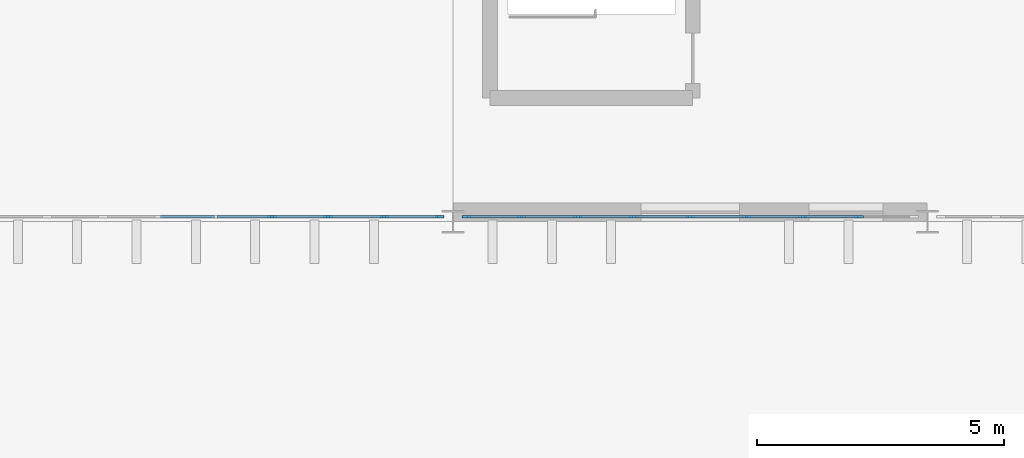
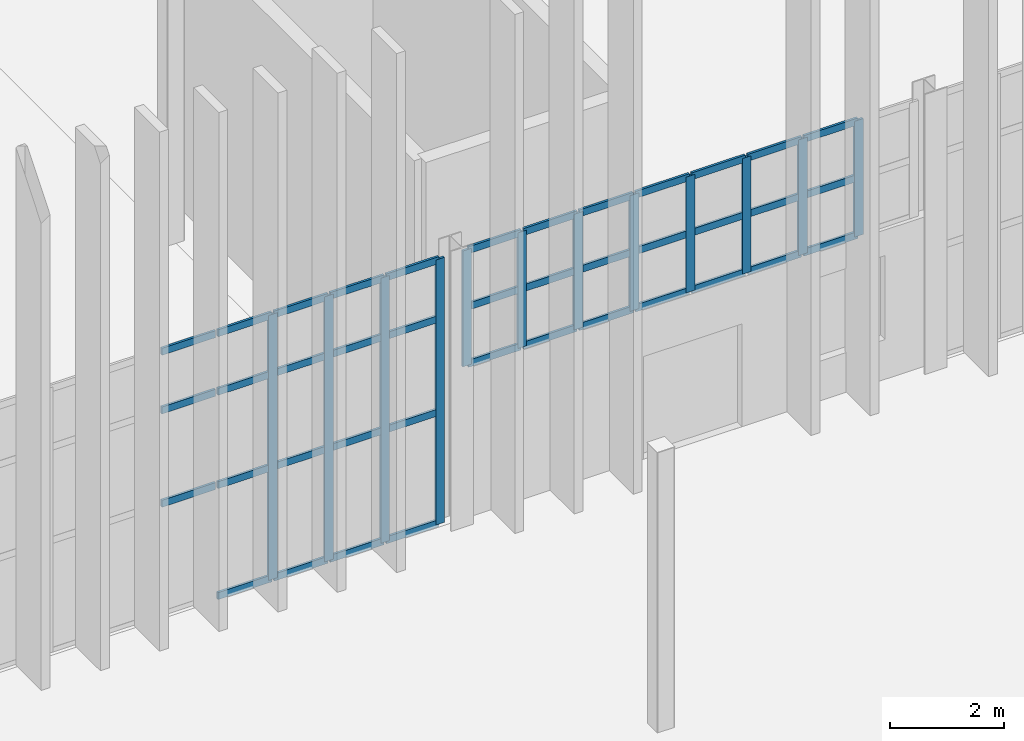
# One storey, part 36 of 139: 52 members, 2 elements without a shape of their own.
"""IFC4 building model written with IfcOpenShell, lengths in metres."""

from ifc_helpers import new_model, si_unit, direction, frame, origin, origin_2d, place, context, subcontext, project, spatial, rectangle, extrude, material, layer, layer_set, material_profile, profile_set, type_object, element, aggregate, save


model = new_model("IFC4")

# Units and contexts
model_context = context("Model", 3, precision=1e-05, world=origin(), true_north=direction((0.0, 1.0)))
body_context = subcontext(model_context, "Body", "Model", "MODEL_VIEW")
ifc_project = project(units=[si_unit("LENGTHUNIT", "METRE"), si_unit("AREAUNIT", "SQUARE_METRE"), si_unit("VOLUMEUNIT", "CUBIC_METRE"), si_unit("PLANEANGLEUNIT", "RADIAN"), si_unit("MASSUNIT", "GRAM", prefix="KILO")], contexts=[model_context])

# Site, building, storey
site_placement = place(None, origin())
site = spatial("IfcSite", under=ifc_project, at=site_placement, CompositionType="ELEMENT")
building_placement = place(site_placement, origin())
building = spatial("IfcBuilding", under=site, at=building_placement, Name="Yeouljin Market Hall", CompositionType="ELEMENT")
storey_placement = place(building_placement, origin())
storey = spatial("IfcBuildingStorey", under=building, at=storey_placement, Name="L00", CompositionType="ELEMENT", Elevation=0.0)

# Curtain wall, members
ifc_material_1 = material(Name="Thermally Broken Aluminium", Category="aluminium")
ifc_layer = layer(ifc_material_1, 0.179931640625)
ifc_layer_set = layer_set([ifc_layer], Name="Thermally Broken Aluminium")
curtain_wall_type = type_object("IfcCurtainWallType", Name="CW_HallNave_System", PredefinedType="USERDEFINED", material=ifc_layer_set)
curtain_wall_1_placement = place(storey_placement, origin())
curtain_wall_1 = element("IfcCurtainWall", 1, at=curtain_wall_1_placement, inside=storey, type_object=curtain_wall_type, Name="Curtain wall CW-V1S-L00-05", ObjectType="CURTAIN WALL", PredefinedType="USERDEFINED")
ifc_material_2 = material(Name="Thermally Broken Aluminium", Category="aluminium")
ifc_material_profile_1 = material_profile(ifc_material_2, rectangle(XDim=0.048095703125, YDim=0.179931640625, at=origin_2d()), Name="CW-MULL-48x180")
ifc_profile_set_1 = profile_set([ifc_material_profile_1], Name="Thermally Broken Aluminium")
member_type_1 = type_object("IfcMemberType", Name="CWMullion_48x180", PredefinedType="MULLION", material=ifc_profile_set_1)
member_1_placement = place(storey_placement, frame((83.1259765625, 36.10009765625, 0.0), z_axis=(0.0, 0.0, 1.0), x_axis=(0.0, -1.0, 0.0)))
member_1 = element("IfcMember", 2, at=member_1_placement, type_object=member_type_1, Name="CW-01 mullion 1", PredefinedType="MULLION", context=body_context, shape_type="SweptSolid", body=[
    extrude(rectangle(XDim=0.048095703125, YDim=0.179931640625, at=origin_2d()), origin(), (0.0, 0.0, 1.0), 5.679931640625),
])
member_2_placement = place(storey_placement, frame((82.012451171875, 36.10009765625, 0.0), z_axis=(0.0, 0.0, 1.0), x_axis=(0.0, -1.0, 0.0)))
member_2 = element("IfcMember", 3, at=member_2_placement, type_object=member_type_1, Name="CW-01 mullion 2", PredefinedType="MULLION", context=body_context, shape_type="SweptSolid", body=[
    extrude(rectangle(XDim=0.048095703125, YDim=0.179931640625, at=origin_2d()), origin(), (0.0, 0.0, 1.0), 5.679931640625),
])
member_3_placement = place(storey_placement, frame((80.875, 36.10009765625, 0.0), z_axis=(0.0, 0.0, 1.0), x_axis=(0.0, -1.0, 0.0)))
member_3 = element("IfcMember", 4, at=member_3_placement, type_object=member_type_1, Name="CW-01 mullion 3", PredefinedType="MULLION", context=body_context, shape_type="SweptSolid", body=[
    extrude(rectangle(XDim=0.048095703125, YDim=0.179931640625, at=origin_2d()), origin(), (0.0, 0.0, 1.0), 5.679931640625),
])
member_4_placement = place(storey_placement, frame((79.737548828125, 36.10009765625, 0.0), z_axis=(0.0, 0.0, 1.0), x_axis=(0.0, -1.0, 0.0)))
member_4 = element("IfcMember", 5, at=member_4_placement, type_object=member_type_1, Name="CW-01 mullion 4", PredefinedType="MULLION", context=body_context, shape_type="SweptSolid", body=[
    extrude(rectangle(XDim=0.048095703125, YDim=0.179931640625, at=origin_2d()), origin(), (0.0, 0.0, 1.0), 5.679931640625),
])

curtain_wall_2_placement = place(storey_placement, origin())
curtain_wall_2 = element("IfcCurtainWall", 6, at=curtain_wall_2_placement, inside=storey, type_object=curtain_wall_type, Name="Curtain wall CW-V1S-L00-06", ObjectType="CURTAIN WALL", PredefinedType="USERDEFINED")
member_5_placement = place(storey_placement, frame((91.612548828125, 36.10009765625, 3.199951171875), z_axis=(0.0, 0.0, 1.0), x_axis=(0.0, -1.0, 0.0)))
member_5 = element("IfcMember", 7, at=member_5_placement, type_object=member_type_1, Name="CW-01 mullion 2", PredefinedType="MULLION", context=body_context, shape_type="SweptSolid", body=[
    extrude(rectangle(XDim=0.048095703125, YDim=0.179931640625, at=origin_2d()), origin(), (0.0, 0.0, 1.0), 2.47998046875),
])
member_6_placement = place(storey_placement, frame((90.47509765625, 36.10009765625, 3.199951171875), z_axis=(0.0, 0.0, 1.0), x_axis=(0.0, -1.0, 0.0)))
member_6 = element("IfcMember", 8, at=member_6_placement, type_object=member_type_1, Name="CW-01 mullion 3", PredefinedType="MULLION", context=body_context, shape_type="SweptSolid", body=[
    extrude(rectangle(XDim=0.048095703125, YDim=0.179931640625, at=origin_2d()), origin(), (0.0, 0.0, 1.0), 2.47998046875),
])
member_7_placement = place(storey_placement, frame((89.33740234375, 36.10009765625, 3.199951171875), z_axis=(0.0, 0.0, 1.0), x_axis=(0.0, -1.0, 0.0)))
member_7 = element("IfcMember", 9, at=member_7_placement, type_object=member_type_1, Name="CW-01 mullion 4", PredefinedType="MULLION", context=body_context, shape_type="SweptSolid", body=[
    extrude(rectangle(XDim=0.048095703125, YDim=0.179931640625, at=origin_2d()), origin(), (0.0, 0.0, 1.0), 2.47998046875),
])
member_8_placement = place(storey_placement, frame((88.199951171875, 36.10009765625, 3.199951171875), z_axis=(0.0, 0.0, 1.0), x_axis=(0.0, -1.0, 0.0)))
member_8 = element("IfcMember", 10, at=member_8_placement, type_object=member_type_1, Name="CW-01 mullion 5", PredefinedType="MULLION", context=body_context, shape_type="SweptSolid", body=[
    extrude(rectangle(XDim=0.048095703125, YDim=0.179931640625, at=origin_2d()), origin(), (0.0, 0.0, 1.0), 2.47998046875),
])
member_9_placement = place(storey_placement, frame((87.0625, 36.10009765625, 3.199951171875), z_axis=(0.0, 0.0, 1.0), x_axis=(0.0, -1.0, 0.0)))
member_9 = element("IfcMember", 11, at=member_9_placement, type_object=member_type_1, Name="CW-01 mullion 6", PredefinedType="MULLION", context=body_context, shape_type="SweptSolid", body=[
    extrude(rectangle(XDim=0.048095703125, YDim=0.179931640625, at=origin_2d()), origin(), (0.0, 0.0, 1.0), 2.47998046875),
])
member_10_placement = place(storey_placement, frame((85.925048828125, 36.10009765625, 3.199951171875), z_axis=(0.0, 0.0, 1.0), x_axis=(0.0, -1.0, 0.0)))
member_10 = element("IfcMember", 12, at=member_10_placement, type_object=member_type_1, Name="CW-01 mullion 7", PredefinedType="MULLION", context=body_context, shape_type="SweptSolid", body=[
    extrude(rectangle(XDim=0.048095703125, YDim=0.179931640625, at=origin_2d()), origin(), (0.0, 0.0, 1.0), 2.47998046875),
])
member_11_placement = place(storey_placement, frame((84.78759765625, 36.10009765625, 3.199951171875), z_axis=(0.0, 0.0, 1.0), x_axis=(0.0, -1.0, 0.0)))
member_11 = element("IfcMember", 13, at=member_11_placement, type_object=member_type_1, Name="CW-01 mullion 8", PredefinedType="MULLION", context=body_context, shape_type="SweptSolid", body=[
    extrude(rectangle(XDim=0.048095703125, YDim=0.179931640625, at=origin_2d()), origin(), (0.0, 0.0, 1.0), 2.47998046875),
])
member_12_placement = place(storey_placement, frame((83.674072265625, 36.10009765625, 3.199951171875), z_axis=(0.0, 0.0, 1.0), x_axis=(0.0, -1.0, 0.0)))
member_12 = element("IfcMember", 14, at=member_12_placement, type_object=member_type_1, Name="CW-01 mullion 9", PredefinedType="MULLION", context=body_context, shape_type="SweptSolid", body=[
    extrude(rectangle(XDim=0.048095703125, YDim=0.179931640625, at=origin_2d()), origin(), (0.0, 0.0, 1.0), 2.47998046875),
])

# Member
ifc_material_3 = material(Name="Thermally Broken Aluminium", Category="aluminium")
ifc_material_profile_2 = material_profile(ifc_material_3, rectangle(XDim=0.048095703125, YDim=0.14990234375, at=origin_2d()), Name="CW-TRAN-48x150")
ifc_profile_set_2 = profile_set([ifc_material_profile_2], Name="Thermally Broken Aluminium")
member_type_2 = type_object("IfcMemberType", Name="CWTransom_48x150", PredefinedType="USERDEFINED", material=ifc_profile_set_2)
member_13_placement = place(storey_placement, frame((83.10205078125, 36.10009765625, 0.02392578125), z_axis=(-1.0, 0.0, 0.0), x_axis=(0.0, -1.0, 0.0)))
member_13 = element("IfcMember", 15, at=member_13_placement, type_object=member_type_2, Name="CW-01 transom 1.1", ObjectType="TRANSOM", PredefinedType="USERDEFINED", context=body_context, shape_type="SweptSolid", body=[
    extrude(rectangle(XDim=0.048095703125, YDim=0.14990234375, at=origin_2d()), origin(), (0.0, 0.0, 1.0), 1.0654296875),
])

member_14_placement = place(storey_placement, frame((83.10205078125, 36.10009765625, 2.39990234375), z_axis=(-1.0, 0.0, 0.0), x_axis=(0.0, -1.0, 0.0)))
member_14 = element("IfcMember", 16, at=member_14_placement, type_object=member_type_2, Name="CW-01 transom 1.2", ObjectType="TRANSOM", PredefinedType="USERDEFINED", context=body_context, shape_type="SweptSolid", body=[
    extrude(rectangle(XDim=0.048095703125, YDim=0.14990234375, at=origin_2d()), origin(), (0.0, 0.0, 1.0), 1.0654296875),
])

member_15_placement = place(storey_placement, frame((83.10205078125, 36.10009765625, 4.39990234375), z_axis=(-1.0, 0.0, 0.0), x_axis=(0.0, -1.0, 0.0)))
member_15 = element("IfcMember", 17, at=member_15_placement, type_object=member_type_2, Name="CW-01 transom 1.3", ObjectType="TRANSOM", PredefinedType="USERDEFINED", context=body_context, shape_type="SweptSolid", body=[
    extrude(rectangle(XDim=0.048095703125, YDim=0.14990234375, at=origin_2d()), origin(), (0.0, 0.0, 1.0), 1.0654296875),
])

member_16_placement = place(storey_placement, frame((83.10205078125, 36.10009765625, 5.656005859375), z_axis=(-1.0, 0.0, 0.0), x_axis=(0.0, -1.0, 0.0)))
member_16 = element("IfcMember", 18, at=member_16_placement, type_object=member_type_2, Name="CW-01 transom 1.4", ObjectType="TRANSOM", PredefinedType="USERDEFINED", context=body_context, shape_type="SweptSolid", body=[
    extrude(rectangle(XDim=0.048095703125, YDim=0.14990234375, at=origin_2d()), origin(), (0.0, 0.0, 1.0), 1.0654296875),
])

member_17_placement = place(storey_placement, frame((81.988525390625, 36.10009765625, 0.02392578125), z_axis=(-1.0, 0.0, 0.0), x_axis=(0.0, -1.0, 0.0)))
member_17 = element("IfcMember", 19, at=member_17_placement, type_object=member_type_2, Name="CW-01 transom 2.1", ObjectType="TRANSOM", PredefinedType="USERDEFINED", context=body_context, shape_type="SweptSolid", body=[
    extrude(rectangle(XDim=0.048095703125, YDim=0.14990234375, at=origin_2d()), origin(), (0.0, 0.0, 1.0), 1.089599609375),
])

member_18_placement = place(storey_placement, frame((81.988525390625, 36.10009765625, 2.39990234375), z_axis=(-1.0, 0.0, 0.0), x_axis=(0.0, -1.0, 0.0)))
member_18 = element("IfcMember", 20, at=member_18_placement, type_object=member_type_2, Name="CW-01 transom 2.2", ObjectType="TRANSOM", PredefinedType="USERDEFINED", context=body_context, shape_type="SweptSolid", body=[
    extrude(rectangle(XDim=0.048095703125, YDim=0.14990234375, at=origin_2d()), origin(), (0.0, 0.0, 1.0), 1.089599609375),
])

member_19_placement = place(storey_placement, frame((81.988525390625, 36.10009765625, 4.39990234375), z_axis=(-1.0, 0.0, 0.0), x_axis=(0.0, -1.0, 0.0)))
member_19 = element("IfcMember", 21, at=member_19_placement, type_object=member_type_2, Name="CW-01 transom 2.3", ObjectType="TRANSOM", PredefinedType="USERDEFINED", context=body_context, shape_type="SweptSolid", body=[
    extrude(rectangle(XDim=0.048095703125, YDim=0.14990234375, at=origin_2d()), origin(), (0.0, 0.0, 1.0), 1.089599609375),
])

member_20_placement = place(storey_placement, frame((81.988525390625, 36.10009765625, 5.656005859375), z_axis=(-1.0, 0.0, 0.0), x_axis=(0.0, -1.0, 0.0)))
member_20 = element("IfcMember", 22, at=member_20_placement, type_object=member_type_2, Name="CW-01 transom 2.4", ObjectType="TRANSOM", PredefinedType="USERDEFINED", context=body_context, shape_type="SweptSolid", body=[
    extrude(rectangle(XDim=0.048095703125, YDim=0.14990234375, at=origin_2d()), origin(), (0.0, 0.0, 1.0), 1.089599609375),
])

member_21_placement = place(storey_placement, frame((80.85107421875, 36.10009765625, 0.02392578125), z_axis=(-1.0, 0.0, 0.0), x_axis=(0.0, -1.0, 0.0)))
member_21 = element("IfcMember", 23, at=member_21_placement, type_object=member_type_2, Name="CW-01 transom 3.1", ObjectType="TRANSOM", PredefinedType="USERDEFINED", context=body_context, shape_type="SweptSolid", body=[
    extrude(rectangle(XDim=0.048095703125, YDim=0.14990234375, at=origin_2d()), origin(), (0.0, 0.0, 1.0), 1.089599609375),
])

member_22_placement = place(storey_placement, frame((80.85107421875, 36.10009765625, 2.39990234375), z_axis=(-1.0, 0.0, 0.0), x_axis=(0.0, -1.0, 0.0)))
member_22 = element("IfcMember", 24, at=member_22_placement, type_object=member_type_2, Name="CW-01 transom 3.2", ObjectType="TRANSOM", PredefinedType="USERDEFINED", context=body_context, shape_type="SweptSolid", body=[
    extrude(rectangle(XDim=0.048095703125, YDim=0.14990234375, at=origin_2d()), origin(), (0.0, 0.0, 1.0), 1.089599609375),
])

member_23_placement = place(storey_placement, frame((80.85107421875, 36.10009765625, 4.39990234375), z_axis=(-1.0, 0.0, 0.0), x_axis=(0.0, -1.0, 0.0)))
member_23 = element("IfcMember", 25, at=member_23_placement, type_object=member_type_2, Name="CW-01 transom 3.3", ObjectType="TRANSOM", PredefinedType="USERDEFINED", context=body_context, shape_type="SweptSolid", body=[
    extrude(rectangle(XDim=0.048095703125, YDim=0.14990234375, at=origin_2d()), origin(), (0.0, 0.0, 1.0), 1.089599609375),
])

member_24_placement = place(storey_placement, frame((80.85107421875, 36.10009765625, 5.656005859375), z_axis=(-1.0, 0.0, 0.0), x_axis=(0.0, -1.0, 0.0)))
member_24 = element("IfcMember", 26, at=member_24_placement, type_object=member_type_2, Name="CW-01 transom 3.4", ObjectType="TRANSOM", PredefinedType="USERDEFINED", context=body_context, shape_type="SweptSolid", body=[
    extrude(rectangle(XDim=0.048095703125, YDim=0.14990234375, at=origin_2d()), origin(), (0.0, 0.0, 1.0), 1.089599609375),
])

member_25_placement = place(storey_placement, frame((79.71337890625, 36.10009765625, 0.02392578125), z_axis=(-1.0, 0.0, 0.0), x_axis=(0.0, -1.0, 0.0)))
member_25 = element("IfcMember", 27, at=member_25_placement, type_object=member_type_2, Name="CW-01 transom 4.1", ObjectType="TRANSOM", PredefinedType="USERDEFINED", context=body_context, shape_type="SweptSolid", body=[
    extrude(rectangle(XDim=0.048095703125, YDim=0.14990234375, at=origin_2d()), origin(), (0.0, 0.0, 1.0), 1.08935546875),
])

member_26_placement = place(storey_placement, frame((79.71337890625, 36.10009765625, 2.39990234375), z_axis=(-1.0, 0.0, 0.0), x_axis=(0.0, -1.0, 0.0)))
member_26 = element("IfcMember", 28, at=member_26_placement, type_object=member_type_2, Name="CW-01 transom 4.2", ObjectType="TRANSOM", PredefinedType="USERDEFINED", context=body_context, shape_type="SweptSolid", body=[
    extrude(rectangle(XDim=0.048095703125, YDim=0.14990234375, at=origin_2d()), origin(), (0.0, 0.0, 1.0), 1.08935546875),
])

member_27_placement = place(storey_placement, frame((79.71337890625, 36.10009765625, 4.39990234375), z_axis=(-1.0, 0.0, 0.0), x_axis=(0.0, -1.0, 0.0)))
member_27 = element("IfcMember", 29, at=member_27_placement, type_object=member_type_2, Name="CW-01 transom 4.3", ObjectType="TRANSOM", PredefinedType="USERDEFINED", context=body_context, shape_type="SweptSolid", body=[
    extrude(rectangle(XDim=0.048095703125, YDim=0.14990234375, at=origin_2d()), origin(), (0.0, 0.0, 1.0), 1.08935546875),
])

member_28_placement = place(storey_placement, frame((79.71337890625, 36.10009765625, 5.656005859375), z_axis=(-1.0, 0.0, 0.0), x_axis=(0.0, -1.0, 0.0)))
member_28 = element("IfcMember", 30, at=member_28_placement, type_object=member_type_2, Name="CW-01 transom 4.4", ObjectType="TRANSOM", PredefinedType="USERDEFINED", context=body_context, shape_type="SweptSolid", body=[
    extrude(rectangle(XDim=0.048095703125, YDim=0.14990234375, at=origin_2d()), origin(), (0.0, 0.0, 1.0), 1.08935546875),
])

member_29_placement = place(storey_placement, frame((78.575927734375, 36.10009765625, 2.39990234375), z_axis=(-1.0, 0.0, 0.0), x_axis=(0.0, -1.0, 0.0)))
member_29 = element("IfcMember", 31, at=member_29_placement, type_object=member_type_2, Name="CW-01 transom 5.2", ObjectType="TRANSOM", PredefinedType="USERDEFINED", context=body_context, shape_type="SweptSolid", body=[
    extrude(rectangle(XDim=0.048095703125, YDim=0.14990234375, at=origin_2d()), origin(), (0.0, 0.0, 1.0), 1.08935546875),
])

member_30_placement = place(storey_placement, frame((78.575927734375, 36.10009765625, 4.39990234375), z_axis=(-1.0, 0.0, 0.0), x_axis=(0.0, -1.0, 0.0)))
member_30 = element("IfcMember", 32, at=member_30_placement, type_object=member_type_2, Name="CW-01 transom 5.3", ObjectType="TRANSOM", PredefinedType="USERDEFINED", context=body_context, shape_type="SweptSolid", body=[
    extrude(rectangle(XDim=0.048095703125, YDim=0.14990234375, at=origin_2d()), origin(), (0.0, 0.0, 1.0), 1.08935546875),
])

member_31_placement = place(storey_placement, frame((78.575927734375, 36.10009765625, 5.656005859375), z_axis=(-1.0, 0.0, 0.0), x_axis=(0.0, -1.0, 0.0)))
member_31 = element("IfcMember", 33, at=member_31_placement, type_object=member_type_2, Name="CW-01 transom 5.4", ObjectType="TRANSOM", PredefinedType="USERDEFINED", context=body_context, shape_type="SweptSolid", body=[
    extrude(rectangle(XDim=0.048095703125, YDim=0.14990234375, at=origin_2d()), origin(), (0.0, 0.0, 1.0), 1.08935546875),
])

aggregate(curtain_wall_1, [member_1, member_2, member_3, member_4, member_13, member_14, member_15, member_16, member_17, member_18, member_19, member_20, member_21, member_22, member_23, member_24, member_25, member_26, member_27, member_28, member_29, member_30, member_31])

member_32_placement = place(storey_placement, frame((91.58837890625, 36.10009765625, 3.22412109375), z_axis=(-1.0, 0.0, 0.0), x_axis=(0.0, -1.0, 0.0)))
member_32 = element("IfcMember", 34, at=member_32_placement, type_object=member_type_2, Name="CW-01 transom 2.1", ObjectType="TRANSOM", PredefinedType="USERDEFINED", context=body_context, shape_type="SweptSolid", body=[
    extrude(rectangle(XDim=0.048095703125, YDim=0.14990234375, at=origin_2d()), origin(), (0.0, 0.0, 1.0), 1.08935546875),
])

member_33_placement = place(storey_placement, frame((91.58837890625, 36.10009765625, 4.449951171875), z_axis=(-1.0, 0.0, 0.0), x_axis=(0.0, -1.0, 0.0)))
member_33 = element("IfcMember", 35, at=member_33_placement, type_object=member_type_2, Name="CW-01 transom 2.2", ObjectType="TRANSOM", PredefinedType="USERDEFINED", context=body_context, shape_type="SweptSolid", body=[
    extrude(rectangle(XDim=0.048095703125, YDim=0.14990234375, at=origin_2d()), origin(), (0.0, 0.0, 1.0), 1.08935546875),
])

member_34_placement = place(storey_placement, frame((91.58837890625, 36.10009765625, 5.656005859375), z_axis=(-1.0, 0.0, 0.0), x_axis=(0.0, -1.0, 0.0)))
member_34 = element("IfcMember", 36, at=member_34_placement, type_object=member_type_2, Name="CW-01 transom 2.3", ObjectType="TRANSOM", PredefinedType="USERDEFINED", context=body_context, shape_type="SweptSolid", body=[
    extrude(rectangle(XDim=0.048095703125, YDim=0.14990234375, at=origin_2d()), origin(), (0.0, 0.0, 1.0), 1.08935546875),
])

member_35_placement = place(storey_placement, frame((90.450927734375, 36.10009765625, 3.22412109375), z_axis=(-1.0, 0.0, 0.0), x_axis=(0.0, -1.0, 0.0)))
member_35 = element("IfcMember", 37, at=member_35_placement, type_object=member_type_2, Name="CW-01 transom 3.1", ObjectType="TRANSOM", PredefinedType="USERDEFINED", context=body_context, shape_type="SweptSolid", body=[
    extrude(rectangle(XDim=0.048095703125, YDim=0.14990234375, at=origin_2d()), origin(), (0.0, 0.0, 1.0), 1.08935546875),
])

member_36_placement = place(storey_placement, frame((90.450927734375, 36.10009765625, 4.449951171875), z_axis=(-1.0, 0.0, 0.0), x_axis=(0.0, -1.0, 0.0)))
member_36 = element("IfcMember", 38, at=member_36_placement, type_object=member_type_2, Name="CW-01 transom 3.2", ObjectType="TRANSOM", PredefinedType="USERDEFINED", context=body_context, shape_type="SweptSolid", body=[
    extrude(rectangle(XDim=0.048095703125, YDim=0.14990234375, at=origin_2d()), origin(), (0.0, 0.0, 1.0), 1.08935546875),
])

member_37_placement = place(storey_placement, frame((90.450927734375, 36.10009765625, 5.656005859375), z_axis=(-1.0, 0.0, 0.0), x_axis=(0.0, -1.0, 0.0)))
member_37 = element("IfcMember", 39, at=member_37_placement, type_object=member_type_2, Name="CW-01 transom 3.3", ObjectType="TRANSOM", PredefinedType="USERDEFINED", context=body_context, shape_type="SweptSolid", body=[
    extrude(rectangle(XDim=0.048095703125, YDim=0.14990234375, at=origin_2d()), origin(), (0.0, 0.0, 1.0), 1.08935546875),
])

member_38_placement = place(storey_placement, frame((89.3134765625, 36.10009765625, 3.22412109375), z_axis=(-1.0, 0.0, 0.0), x_axis=(0.0, -1.0, 0.0)))
member_38 = element("IfcMember", 40, at=member_38_placement, type_object=member_type_2, Name="CW-01 transom 4.1", ObjectType="TRANSOM", PredefinedType="USERDEFINED", context=body_context, shape_type="SweptSolid", body=[
    extrude(rectangle(XDim=0.048095703125, YDim=0.14990234375, at=origin_2d()), origin(), (0.0, 0.0, 1.0), 1.08935546875),
])

member_39_placement = place(storey_placement, frame((89.3134765625, 36.10009765625, 4.449951171875), z_axis=(-1.0, 0.0, 0.0), x_axis=(0.0, -1.0, 0.0)))
member_39 = element("IfcMember", 41, at=member_39_placement, type_object=member_type_2, Name="CW-01 transom 4.2", ObjectType="TRANSOM", PredefinedType="USERDEFINED", context=body_context, shape_type="SweptSolid", body=[
    extrude(rectangle(XDim=0.048095703125, YDim=0.14990234375, at=origin_2d()), origin(), (0.0, 0.0, 1.0), 1.08935546875),
])

member_40_placement = place(storey_placement, frame((89.3134765625, 36.10009765625, 5.656005859375), z_axis=(-1.0, 0.0, 0.0), x_axis=(0.0, -1.0, 0.0)))
member_40 = element("IfcMember", 42, at=member_40_placement, type_object=member_type_2, Name="CW-01 transom 4.3", ObjectType="TRANSOM", PredefinedType="USERDEFINED", context=body_context, shape_type="SweptSolid", body=[
    extrude(rectangle(XDim=0.048095703125, YDim=0.14990234375, at=origin_2d()), origin(), (0.0, 0.0, 1.0), 1.08935546875),
])

member_41_placement = place(storey_placement, frame((88.176025390625, 36.10009765625, 3.22412109375), z_axis=(-1.0, 0.0, 0.0), x_axis=(0.0, -1.0, 0.0)))
member_41 = element("IfcMember", 43, at=member_41_placement, type_object=member_type_2, Name="CW-01 transom 5.1", ObjectType="TRANSOM", PredefinedType="USERDEFINED", context=body_context, shape_type="SweptSolid", body=[
    extrude(rectangle(XDim=0.048095703125, YDim=0.14990234375, at=origin_2d()), origin(), (0.0, 0.0, 1.0), 1.089599609375),
])

member_42_placement = place(storey_placement, frame((88.176025390625, 36.10009765625, 4.449951171875), z_axis=(-1.0, 0.0, 0.0), x_axis=(0.0, -1.0, 0.0)))
member_42 = element("IfcMember", 44, at=member_42_placement, type_object=member_type_2, Name="CW-01 transom 5.2", ObjectType="TRANSOM", PredefinedType="USERDEFINED", context=body_context, shape_type="SweptSolid", body=[
    extrude(rectangle(XDim=0.048095703125, YDim=0.14990234375, at=origin_2d()), origin(), (0.0, 0.0, 1.0), 1.089599609375),
])

member_43_placement = place(storey_placement, frame((88.176025390625, 36.10009765625, 5.656005859375), z_axis=(-1.0, 0.0, 0.0), x_axis=(0.0, -1.0, 0.0)))
member_43 = element("IfcMember", 45, at=member_43_placement, type_object=member_type_2, Name="CW-01 transom 5.3", ObjectType="TRANSOM", PredefinedType="USERDEFINED", context=body_context, shape_type="SweptSolid", body=[
    extrude(rectangle(XDim=0.048095703125, YDim=0.14990234375, at=origin_2d()), origin(), (0.0, 0.0, 1.0), 1.089599609375),
])

member_44_placement = place(storey_placement, frame((87.03857421875, 36.10009765625, 3.22412109375), z_axis=(-1.0, 0.0, 0.0), x_axis=(0.0, -1.0, 0.0)))
member_44 = element("IfcMember", 46, at=member_44_placement, type_object=member_type_2, Name="CW-01 transom 6.1", ObjectType="TRANSOM", PredefinedType="USERDEFINED", context=body_context, shape_type="SweptSolid", body=[
    extrude(rectangle(XDim=0.048095703125, YDim=0.14990234375, at=origin_2d()), origin(), (0.0, 0.0, 1.0), 1.089599609375),
])

member_45_placement = place(storey_placement, frame((87.03857421875, 36.10009765625, 4.449951171875), z_axis=(-1.0, 0.0, 0.0), x_axis=(0.0, -1.0, 0.0)))
member_45 = element("IfcMember", 47, at=member_45_placement, type_object=member_type_2, Name="CW-01 transom 6.2", ObjectType="TRANSOM", PredefinedType="USERDEFINED", context=body_context, shape_type="SweptSolid", body=[
    extrude(rectangle(XDim=0.048095703125, YDim=0.14990234375, at=origin_2d()), origin(), (0.0, 0.0, 1.0), 1.089599609375),
])

member_46_placement = place(storey_placement, frame((87.03857421875, 36.10009765625, 5.656005859375), z_axis=(-1.0, 0.0, 0.0), x_axis=(0.0, -1.0, 0.0)))
member_46 = element("IfcMember", 48, at=member_46_placement, type_object=member_type_2, Name="CW-01 transom 6.3", ObjectType="TRANSOM", PredefinedType="USERDEFINED", context=body_context, shape_type="SweptSolid", body=[
    extrude(rectangle(XDim=0.048095703125, YDim=0.14990234375, at=origin_2d()), origin(), (0.0, 0.0, 1.0), 1.089599609375),
])

member_47_placement = place(storey_placement, frame((85.90087890625, 36.10009765625, 3.22412109375), z_axis=(-1.0, 0.0, 0.0), x_axis=(0.0, -1.0, 0.0)))
member_47 = element("IfcMember", 49, at=member_47_placement, type_object=member_type_2, Name="CW-01 transom 7.1", ObjectType="TRANSOM", PredefinedType="USERDEFINED", context=body_context, shape_type="SweptSolid", body=[
    extrude(rectangle(XDim=0.048095703125, YDim=0.14990234375, at=origin_2d()), origin(), (0.0, 0.0, 1.0), 1.08935546875),
])

member_48_placement = place(storey_placement, frame((85.90087890625, 36.10009765625, 4.449951171875), z_axis=(-1.0, 0.0, 0.0), x_axis=(0.0, -1.0, 0.0)))
member_48 = element("IfcMember", 50, at=member_48_placement, type_object=member_type_2, Name="CW-01 transom 7.2", ObjectType="TRANSOM", PredefinedType="USERDEFINED", context=body_context, shape_type="SweptSolid", body=[
    extrude(rectangle(XDim=0.048095703125, YDim=0.14990234375, at=origin_2d()), origin(), (0.0, 0.0, 1.0), 1.08935546875),
])

member_49_placement = place(storey_placement, frame((85.90087890625, 36.10009765625, 5.656005859375), z_axis=(-1.0, 0.0, 0.0), x_axis=(0.0, -1.0, 0.0)))
member_49 = element("IfcMember", 51, at=member_49_placement, type_object=member_type_2, Name="CW-01 transom 7.3", ObjectType="TRANSOM", PredefinedType="USERDEFINED", context=body_context, shape_type="SweptSolid", body=[
    extrude(rectangle(XDim=0.048095703125, YDim=0.14990234375, at=origin_2d()), origin(), (0.0, 0.0, 1.0), 1.08935546875),
])

member_50_placement = place(storey_placement, frame((84.763427734375, 36.10009765625, 3.22412109375), z_axis=(-1.0, 0.0, 0.0), x_axis=(0.0, -1.0, 0.0)))
member_50 = element("IfcMember", 52, at=member_50_placement, type_object=member_type_2, Name="CW-01 transom 8.1", ObjectType="TRANSOM", PredefinedType="USERDEFINED", context=body_context, shape_type="SweptSolid", body=[
    extrude(rectangle(XDim=0.048095703125, YDim=0.14990234375, at=origin_2d()), origin(), (0.0, 0.0, 1.0), 1.0654296875),
])

member_51_placement = place(storey_placement, frame((84.763427734375, 36.10009765625, 4.449951171875), z_axis=(-1.0, 0.0, 0.0), x_axis=(0.0, -1.0, 0.0)))
member_51 = element("IfcMember", 53, at=member_51_placement, type_object=member_type_2, Name="CW-01 transom 8.2", ObjectType="TRANSOM", PredefinedType="USERDEFINED", context=body_context, shape_type="SweptSolid", body=[
    extrude(rectangle(XDim=0.048095703125, YDim=0.14990234375, at=origin_2d()), origin(), (0.0, 0.0, 1.0), 1.0654296875),
])

member_52_placement = place(storey_placement, frame((84.763427734375, 36.10009765625, 5.656005859375), z_axis=(-1.0, 0.0, 0.0), x_axis=(0.0, -1.0, 0.0)))
member_52 = element("IfcMember", 54, at=member_52_placement, type_object=member_type_2, Name="CW-01 transom 8.3", ObjectType="TRANSOM", PredefinedType="USERDEFINED", context=body_context, shape_type="SweptSolid", body=[
    extrude(rectangle(XDim=0.048095703125, YDim=0.14990234375, at=origin_2d()), origin(), (0.0, 0.0, 1.0), 1.0654296875),
])

aggregate(curtain_wall_2, [member_5, member_6, member_7, member_8, member_9, member_10, member_11, member_12, member_32, member_33, member_34, member_35, member_36, member_37, member_38, member_39, member_40, member_41, member_42, member_43, member_44, member_45, member_46, member_47, member_48, member_49, member_50, member_51, member_52])

save(model, "model.ifc")
